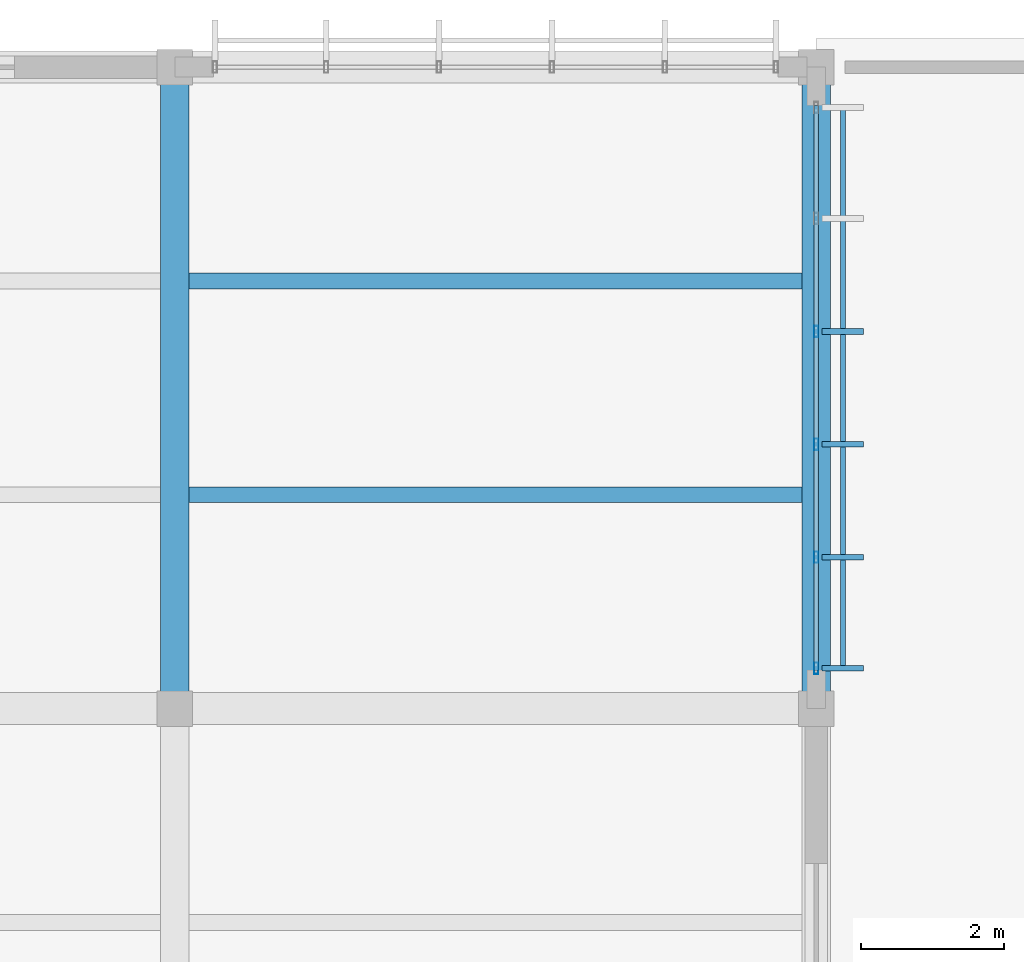
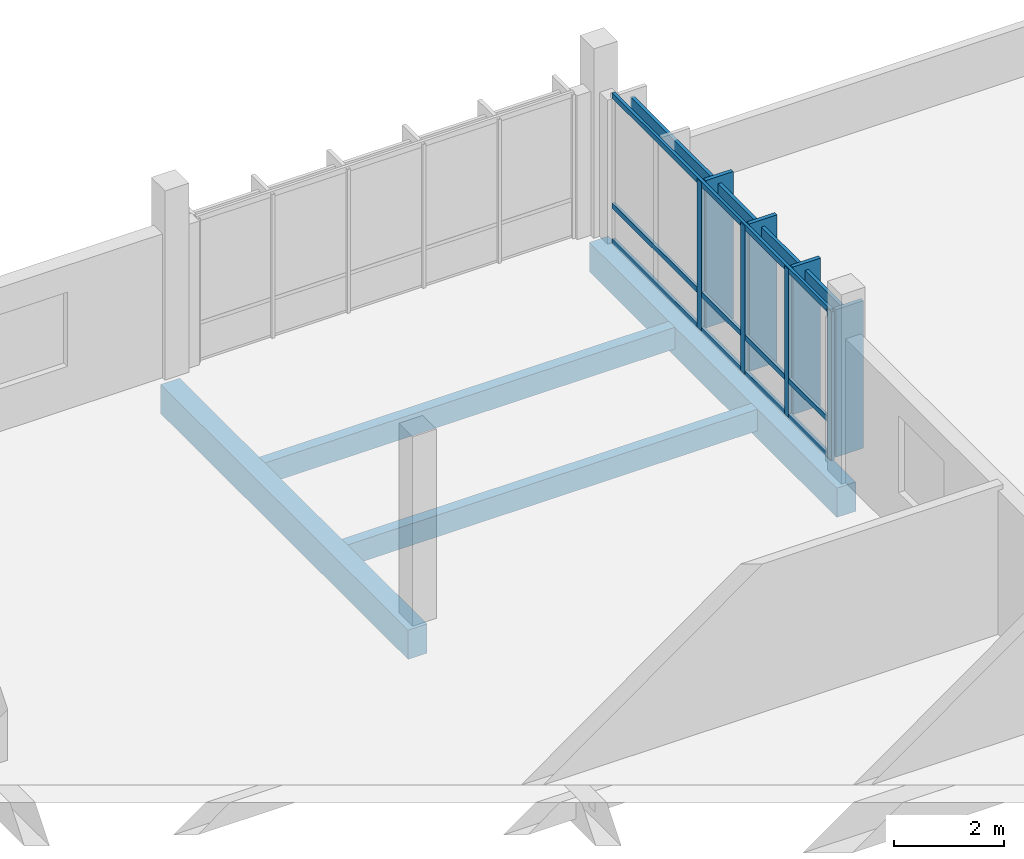
# One storey, part 61 of 107: 12 members, 4 beams, 1 element without a shape of its own.
"""IFC4 building model written with IfcOpenShell, lengths in metres."""

from ifc_helpers import new_model, si_unit, direction, frame, origin, origin_2d, place, context, subcontext, project, spatial, rectangle, hollow_rectangle, extrude, material, material_profile, profile_set, type_object, element, aggregate, save


model = new_model("IFC4")

# Units and contexts
model_context = context("Model", 3, precision=1e-05, world=origin(), true_north=direction((0.0, 1.0)))
body_context = subcontext(model_context, "Body", "Model", "MODEL_VIEW")
ifc_project = project(units=[si_unit("LENGTHUNIT", "METRE"), si_unit("AREAUNIT", "SQUARE_METRE"), si_unit("VOLUMEUNIT", "CUBIC_METRE"), si_unit("PLANEANGLEUNIT", "RADIAN"), si_unit("MASSUNIT", "GRAM", prefix="KILO")], contexts=[model_context])

# Site, building, storey
site_placement = place(None, origin())
site = spatial("IfcSite", under=ifc_project, at=site_placement, CompositionType="ELEMENT")
building_placement = place(site_placement, origin())
building = spatial("IfcBuilding", under=site, at=building_placement, Name="Chiffa Square Polytechnic", CompositionType="ELEMENT")
storey_placement = place(building_placement, frame((0.0, 0.0, 13.800048828125)))
storey = spatial("IfcBuildingStorey", under=building, at=storey_placement, Name="L03", CompositionType="ELEMENT", Elevation=13.800048828125)

# Beams
ifc_material_1 = material(Name="Concrete C35/45", Category="concrete")
ifc_material_profile_1 = material_profile(ifc_material_1, rectangle(XDim=0.39990234375, YDim=0.64990234375, at=origin_2d()), Name="RC 400x650")
ifc_profile_set_1 = profile_set([ifc_material_profile_1], Name="Concrete C35/45")
beam_type_1 = type_object("IfcBeamType", Name="BM-RC-400X650", PredefinedType="BEAM", material=ifc_profile_set_1)
for number, where, z_axis, x_axis, name in (
    (1, (130.199951171875, 121.800048828125, -0.5849609375), (0.0, 1.0, 0.0), (-1.0, 0.0, 0.0), "Primary floor girder BM-V5-L03-Y-1302-1218"),
    (2, (139.199951171875, 121.800048828125, -0.5849609375), (0.0, 1.0, 0.0), (-1.0, 0.0, 0.0), "Primary floor girder BM-V5-L03-Y-1392-1218"),
):
    element("IfcBeam", number, at=place(storey_placement, frame(where, z_axis=z_axis, x_axis=x_axis)), inside=storey, type_object=beam_type_1, Name=name, PredefinedType="BEAM", context=body_context, shape_type="SweptSolid", body=[
        extrude(rectangle(XDim=0.39990234375, YDim=0.64990234375, at=origin_2d()), origin(), (0.0, 0.0, 1.0), 9.0),
    ])

# Curtain wall, members
ifc_material_2 = material(Name="Aluminium EN AW-6060 T66 and glulam shading", Category="wood")
curtain_wall_type = type_object("IfcCurtainWallType", Name="CW-VERT-480X380", PredefinedType="USERDEFINED", material=ifc_material_2)
curtain_wall_placement = place(storey_placement, origin())
curtain_wall = element("IfcCurtainWall", 3, at=curtain_wall_placement, inside=storey, type_object=curtain_wall_type, Name="Curtain wall CW-V5-L03-230", ObjectType="CURTAIN WALL", PredefinedType="USERDEFINED")
ifc_material_3 = material(Name="Aluminium EN AW-6060 T66", Category="aluminium")
ifc_material_profile_2 = material_profile(ifc_material_3, hollow_rectangle(XDim=0.06005859375, YDim=0.159912109375, WallThickness=0.00390625, at=origin_2d()), Name="ALU 60x160x4")
ifc_profile_set_2 = profile_set([ifc_material_profile_2], Name="Aluminium EN AW-6060 T66")
member_type_1 = type_object("IfcMemberType", Name="CWM-ALU-65X150", PredefinedType="MULLION", material=ifc_profile_set_2)
member_1_placement = place(storey_placement, frame((139.199951171875, 122.364990234375, 0.0), z_axis=(0.0, 0.0, 1.0), x_axis=(1.0, 0.0, 0.0)))
member_1 = element("IfcMember", 4, at=member_1_placement, type_object=member_type_1, Name="Curtain wall mullion CW-V5-L03-230-M00", PredefinedType="MULLION", context=body_context, shape_type="SweptSolid", body=[
    extrude(hollow_rectangle(XDim=0.06005859375, YDim=0.159912109375, WallThickness=0.00390625, at=origin_2d()), origin(), (0.0, 0.0, 1.0), 3.294921875),
])
member_2_placement = place(storey_placement, frame((139.199951171875, 123.924072265625, 0.0), z_axis=(0.0, 0.0, 1.0), x_axis=(1.0, 0.0, 0.0)))
member_2 = element("IfcMember", 5, at=member_2_placement, type_object=member_type_1, Name="Curtain wall mullion CW-V5-L03-230-M01", PredefinedType="MULLION", context=body_context, shape_type="SweptSolid", body=[
    extrude(hollow_rectangle(XDim=0.06005859375, YDim=0.159912109375, WallThickness=0.00390625, at=origin_2d()), origin(), (0.0, 0.0, 1.0), 3.294921875),
])
member_3_placement = place(storey_placement, frame((139.199951171875, 125.508056640625, 0.0), z_axis=(0.0, 0.0, 1.0), x_axis=(1.0, 0.0, 0.0)))
member_3 = element("IfcMember", 6, at=member_3_placement, type_object=member_type_1, Name="Curtain wall mullion CW-V5-L03-230-M02", PredefinedType="MULLION", context=body_context, shape_type="SweptSolid", body=[
    extrude(hollow_rectangle(XDim=0.06005859375, YDim=0.159912109375, WallThickness=0.00390625, at=origin_2d()), origin(), (0.0, 0.0, 1.0), 3.294921875),
])
member_4_placement = place(storey_placement, frame((139.199951171875, 127.092041015625, 0.0), z_axis=(0.0, 0.0, 1.0), x_axis=(1.0, 0.0, 0.0)))
member_4 = element("IfcMember", 7, at=member_4_placement, type_object=member_type_1, Name="Curtain wall mullion CW-V5-L03-230-M03", PredefinedType="MULLION", context=body_context, shape_type="SweptSolid", body=[
    extrude(hollow_rectangle(XDim=0.06005859375, YDim=0.159912109375, WallThickness=0.00390625, at=origin_2d()), origin(), (0.0, 0.0, 1.0), 3.294921875),
])
ifc_material_4 = material(Name="Glulam GL28h", Category="wood")
ifc_material_profile_3 = material_profile(ifc_material_4, rectangle(XDim=0.080078125, YDim=0.580078125, at=origin_2d()), Name="GL28h 80x580")
ifc_profile_set_3 = profile_set([ifc_material_profile_3], Name="Glulam GL28h")
member_type_2 = type_object("IfcMemberType", Name="CWM-GL-80X580", PredefinedType="MULLION", material=ifc_profile_set_3)
member_5_placement = place(storey_placement, frame((139.572021484375, 122.364990234375, 0.010009765625), z_axis=(0.0, 0.0, 1.0), x_axis=(0.0, 1.0, 0.0)))
member_5 = element("IfcMember", 8, at=member_5_placement, type_object=member_type_2, Name="Exterior glulam solar fin CW-V5-L03-230-FN00", PredefinedType="MULLION", context=body_context, shape_type="SweptSolid", body=[
    extrude(rectangle(XDim=0.080078125, YDim=0.580078125, at=origin_2d()), origin(), (0.0, 0.0, 1.0), 3.27490234375),
])
member_6_placement = place(storey_placement, frame((139.572021484375, 123.924072265625, 0.010009765625), z_axis=(0.0, 0.0, 1.0), x_axis=(0.0, 1.0, 0.0)))
member_6 = element("IfcMember", 9, at=member_6_placement, type_object=member_type_2, Name="Exterior glulam solar fin CW-V5-L03-230-FN01", PredefinedType="MULLION", context=body_context, shape_type="SweptSolid", body=[
    extrude(rectangle(XDim=0.080078125, YDim=0.580078125, at=origin_2d()), origin(), (0.0, 0.0, 1.0), 3.27490234375),
])
member_7_placement = place(storey_placement, frame((139.572021484375, 125.508056640625, 0.010009765625), z_axis=(0.0, 0.0, 1.0), x_axis=(0.0, 1.0, 0.0)))
member_7 = element("IfcMember", 10, at=member_7_placement, type_object=member_type_2, Name="Exterior glulam solar fin CW-V5-L03-230-FN02", PredefinedType="MULLION", context=body_context, shape_type="SweptSolid", body=[
    extrude(rectangle(XDim=0.080078125, YDim=0.580078125, at=origin_2d()), origin(), (0.0, 0.0, 1.0), 3.27490234375),
])
member_8_placement = place(storey_placement, frame((139.572021484375, 127.092041015625, 0.010009765625), z_axis=(0.0, 0.0, 1.0), x_axis=(0.0, 1.0, 0.0)))
member_8 = element("IfcMember", 11, at=member_8_placement, type_object=member_type_2, Name="Exterior glulam solar fin CW-V5-L03-230-FN03", PredefinedType="MULLION", context=body_context, shape_type="SweptSolid", body=[
    extrude(rectangle(XDim=0.080078125, YDim=0.580078125, at=origin_2d()), origin(), (0.0, 0.0, 1.0), 3.27490234375),
])
ifc_material_profile_4 = material_profile(ifc_material_3, hollow_rectangle(XDim=0.06005859375, YDim=0.1201171875, WallThickness=0.00390625, at=origin_2d()), Name="ALU 60x120x4")
ifc_profile_set_4 = profile_set([ifc_material_profile_4], Name="Aluminium EN AW-6060 T66")
member_type_3 = type_object("IfcMemberType", Name="CWT-ALU-65X120", PredefinedType="USERDEFINED", material=ifc_profile_set_4)
member_9_placement = place(storey_placement, frame((139.199951171875, 122.337890625, 0.030029296875), z_axis=(0.0, 1.0, 0.0), x_axis=(-1.0, 0.0, 0.0)))
member_9 = element("IfcMember", 12, at=member_9_placement, type_object=member_type_3, Name="Curtain wall transom CW-V5-L03-230-T01", ObjectType="TRANSOM", PredefinedType="USERDEFINED", context=body_context, shape_type="SweptSolid", body=[
    extrude(hollow_rectangle(XDim=0.06005859375, YDim=0.1201171875, WallThickness=0.00390625, at=origin_2d()), origin(), (0.0, 0.0, 1.0), 7.924072265625),
])
member_10_placement = place(storey_placement, frame((139.199951171875, 122.337890625, 0.820068359375), z_axis=(0.0, 1.0, 0.0), x_axis=(-1.0, 0.0, 0.0)))
member_10 = element("IfcMember", 13, at=member_10_placement, type_object=member_type_3, Name="Curtain wall transom CW-V5-L03-230-T02", ObjectType="TRANSOM", PredefinedType="USERDEFINED", context=body_context, shape_type="SweptSolid", body=[
    extrude(hollow_rectangle(XDim=0.06005859375, YDim=0.1201171875, WallThickness=0.00390625, at=origin_2d()), origin(), (0.0, 0.0, 1.0), 7.924072265625),
])
member_11_placement = place(storey_placement, frame((139.199951171875, 122.337890625, 3.264892578125), z_axis=(0.0, 1.0, 0.0), x_axis=(-1.0, 0.0, 0.0)))
member_11 = element("IfcMember", 14, at=member_11_placement, type_object=member_type_3, Name="Curtain wall transom CW-V5-L03-230-T03", ObjectType="TRANSOM", PredefinedType="USERDEFINED", context=body_context, shape_type="SweptSolid", body=[
    extrude(hollow_rectangle(XDim=0.06005859375, YDim=0.1201171875, WallThickness=0.00390625, at=origin_2d()), origin(), (0.0, 0.0, 1.0), 7.924072265625),
])
ifc_material_profile_5 = material_profile(ifc_material_4, rectangle(XDim=0.070068359375, YDim=0.419921875, at=origin_2d()), Name="GL28h 70x420")
ifc_profile_set_5 = profile_set([ifc_material_profile_5], Name="Glulam GL28h")
member_type_4 = type_object("IfcMemberType", Name="CWT-GL-70X420", PredefinedType="USERDEFINED", material=ifc_profile_set_5)
member_12_placement = place(storey_placement, frame((139.572021484375, 122.364990234375, 2.9150390625), z_axis=(0.0, 1.0, 0.0), x_axis=(-1.0, 0.0, 0.0)))
member_12 = element("IfcMember", 15, at=member_12_placement, type_object=member_type_4, Name="Exterior glulam brise-soleil CW-V5-L03-230-BS01", ObjectType="TRANSOM", PredefinedType="USERDEFINED", context=body_context, shape_type="SweptSolid", body=[
    extrude(rectangle(XDim=0.070068359375, YDim=0.419921875, at=origin_2d()), origin(), (0.0, 0.0, 1.0), 7.8701171875),
])
aggregate(curtain_wall, [member_1, member_5, member_2, member_6, member_3, member_7, member_4, member_8, member_9, member_10, member_11, member_12])

# Beams
ifc_material_profile_6 = material_profile(ifc_material_4, rectangle(XDim=0.219970703125, YDim=0.47998046875, at=origin_2d()), Name="GL28h 220x480")
ifc_profile_set_6 = profile_set([ifc_material_profile_6], Name="Glulam GL28h")
beam_type_2 = type_object("IfcBeamType", Name="JST-GL-220X480", PredefinedType="JOIST", material=ifc_profile_set_6)
for number, where, z_axis, x_axis, name in (
    (16, (130.39794921875, 124.800048828125, -0.5), (1.0, 0.0, 0.0), (0.0, 1.0, 0.0), "Secondary floor joist JST-V5-L03-1302-1248"),
    (17, (130.39794921875, 127.800048828125, -0.5), (1.0, 0.0, 0.0), (0.0, 1.0, 0.0), "Secondary floor joist JST-V5-L03-1302-1278"),
):
    element("IfcBeam", number, at=place(storey_placement, frame(where, z_axis=z_axis, x_axis=x_axis)), inside=storey, type_object=beam_type_2, Name=name, PredefinedType="JOIST", context=body_context, shape_type="SweptSolid", body=[
        extrude(rectangle(XDim=0.219970703125, YDim=0.47998046875, at=origin_2d()), origin(), (0.0, 0.0, 1.0), 8.60400390625),
    ])

save(model, "model.ifc")
